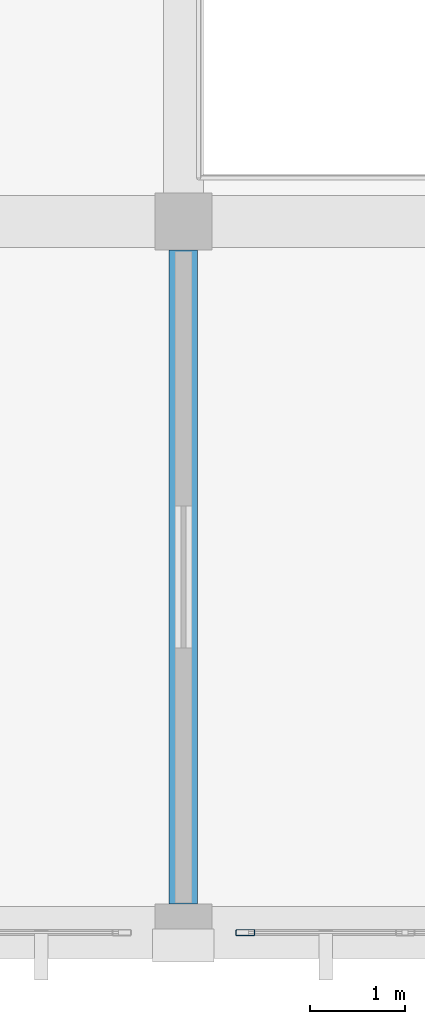
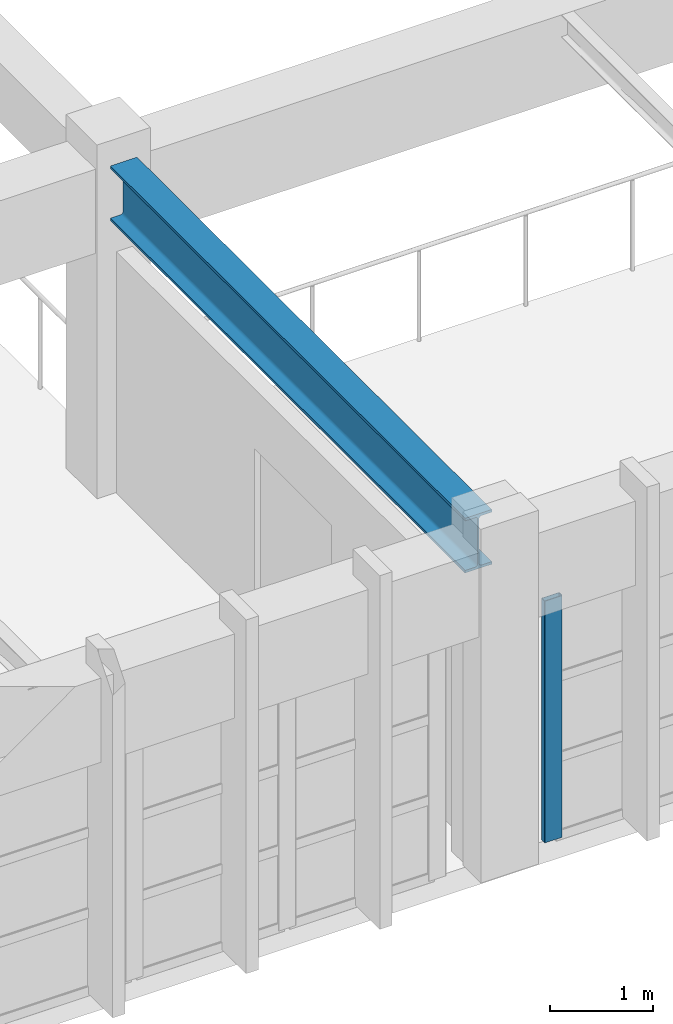
# One storey, part 3 of 124: 1 beam, 1 member, 1 element without a shape of its own.
"""IFC4 building model written with IfcOpenShell, lengths in metres."""

import ifcopenshell
import ifcopenshell.guid

model = None  # the IFC model being written
_history = None  # IfcOwnerHistory: only IFC2X3 demands one
_inside = {}  # id of a spatial element -> (the spatial element, [elements in it])
_under = {}  # id of a project, library or spatial element -> (it, [spatial elements below it])
_declared = {}  # id of a project -> (the project, [libraries it declares])
_typed = {}  # id of a type object -> (the type object, [elements of that type])
_made_of = {}  # id of a material, layer set ... -> (it, [elements and type objects made of it])


def new_model(schema):
    """Start an empty IFC model of exactly this schema.

    Asked for "IFC4X3", IfcOpenShell would pick the latest addendum, in which some entities
    have other attributes; the version numbers below select the first issue.
    IFC2X3 requires an IfcOwnerHistory on every rooted entity: one is made here for all.
    """
    global model, _history
    if schema == "IFC4X3":
        model = ifcopenshell.file(schema_version=(4, 3, 0, 0))
    else:
        model = ifcopenshell.file(schema=schema)
    _inside.clear()
    _under.clear()
    _declared.clear()
    _typed.clear()
    _made_of.clear()
    _history = None
    if model.schema == "IFC2X3":
        org = make("IfcOrganization", Name="unknown")
        user = make(
            "IfcPersonAndOrganization",
            ThePerson=make("IfcPerson", FamilyName="unknown"),
            TheOrganization=org,
        )
        app = make(
            "IfcApplication",
            ApplicationDeveloper=org,
            Version="unknown",
            ApplicationFullName="unknown",
            ApplicationIdentifier="unknown",
        )
        _history = make(
            "IfcOwnerHistory",
            OwningUser=user,
            OwningApplication=app,
            ChangeAction="ADDED",
            CreationDate=0,
        )
    return model


def make(cls, **values):
    """One entity of the class cls with the attributes given. An attribute that is None is left unset."""
    return model.create_entity(
        cls, **{name: value for name, value in values.items() if value is not None}
    )


def rooted(cls, **values):
    """An entity with a GlobalId (a new one), such as an element, a storey or a relation."""
    return make(cls, GlobalId=ifcopenshell.guid.new(), OwnerHistory=_history, **values)


def si_unit(unit_type, name, prefix=None):
    """IfcSIUnit, for example si_unit("LENGTHUNIT", "METRE", prefix="MILLI")."""
    return make("IfcSIUnit", UnitType=unit_type, Prefix=prefix, Name=name)


def assignment(units):
    """IfcUnitAssignment: the units of a project."""
    return None if units is None else make("IfcUnitAssignment", Units=units)


def point(xyz):
    """IfcCartesianPoint."""
    return None if xyz is None else make("IfcCartesianPoint", Coordinates=xyz)


def direction(xyz):
    """IfcDirection."""
    return None if xyz is None else make("IfcDirection", DirectionRatios=xyz)


def frame(location, z_axis=None, x_axis=None):
    """IfcAxis2Placement3D, a coordinate frame: its origin and axes. An axis left out is left unset."""
    return make(
        "IfcAxis2Placement3D",
        Location=point(location),
        Axis=direction(z_axis),
        RefDirection=direction(x_axis),
    )


def frame_2d(location, x_axis=None):
    """IfcAxis2Placement2D, a coordinate frame in the plane: its origin and x axis."""
    return make(
        "IfcAxis2Placement2D", Location=point(location), RefDirection=direction(x_axis)
    )


def origin():
    """The frame at (0, 0, 0) with its axes left unset."""
    return frame((0.0, 0.0, 0.0))


def origin_2d():
    """The frame at (0, 0) in the plane with its x axis left unset."""
    return frame_2d((0.0, 0.0))


def place(relative_to, where):
    """IfcLocalPlacement: puts the frame where relative to a parent placement (None: the world)."""
    return make(
        "IfcLocalPlacement", PlacementRelTo=relative_to, RelativePlacement=where
    )


def context(
    kind, dimensions, precision=None, world=None, true_north=None, identifier=None
):
    """IfcGeometricRepresentationContext, for example the 3D "Model" context."""
    return make(
        "IfcGeometricRepresentationContext",
        ContextIdentifier=identifier,
        ContextType=kind,
        CoordinateSpaceDimension=dimensions,
        Precision=precision,
        WorldCoordinateSystem=world,
        TrueNorth=true_north,
    )


def subcontext(parent, identifier, kind, view, scale=None):
    """IfcGeometricRepresentationSubContext, for example "Body" below "Model"."""
    return make(
        "IfcGeometricRepresentationSubContext",
        ContextIdentifier=identifier,
        ContextType=kind,
        ParentContext=parent,
        TargetScale=scale,
        TargetView=view,
    )


def project(units=None, contexts=None):
    """IfcProject with its units and contexts."""
    return rooted(
        "IfcProject",
        Name="project",
        RepresentationContexts=contexts,
        UnitsInContext=assignment(units),
    )


def spatial(cls, under=None, at=None, **own):
    """A site, building, storey or space (cls), placed at a placement, below another one or the project."""
    s = rooted(cls, ObjectPlacement=at, **own)
    if under is not None:
        _under.setdefault(under.id(), (under, []))[1].append(s)
    return s


def profile(cls, at=None, kind="AREA", **sizes):
    """A parametric profile (cls). Its sizes go by their IFC names, for example OverallWidth=200.0."""
    return make(cls, ProfileType=kind, Position=at, **sizes)


def hollow_rectangle(**sizes):
    """IfcRectangleHollowProfileDef."""
    return profile("IfcRectangleHollowProfileDef", **sizes)


def i_section(**sizes):
    """IfcIShapeProfileDef."""
    return profile("IfcIShapeProfileDef", **sizes)


def extrude(swept, where, along, depth):
    """IfcExtrudedAreaSolid: the profile swept, set in the frame where, extruded along a direction by depth."""
    return make(
        "IfcExtrudedAreaSolid",
        SweptArea=swept,
        Position=where,
        ExtrudedDirection=direction(along),
        Depth=depth,
    )


def shape(context_of_items, identifier, shape_type, items):
    """IfcShapeRepresentation: the items that make up one representation, for example the "Body"."""
    return make(
        "IfcShapeRepresentation",
        ContextOfItems=context_of_items,
        RepresentationIdentifier=identifier,
        RepresentationType=shape_type,
        Items=items,
    )


def material(Name=None, Category=None):
    """IfcMaterial."""
    return make("IfcMaterial", Name=Name, Category=Category)


def material_profile(
    of_material, cross_section, Name=None, Category=None, Priority=None
):
    """IfcMaterialProfile: a cross section and its material."""
    return make(
        "IfcMaterialProfile",
        Name=Name,
        Material=of_material,
        Profile=cross_section,
        Priority=Priority,
        Category=Category,
    )


def profile_set(profiles, Name=None, composite=None):
    """IfcMaterialProfileSet."""
    return make(
        "IfcMaterialProfileSet",
        Name=Name,
        MaterialProfiles=profiles,
        CompositeProfile=composite,
    )


def made_of(thing, what):
    """Note that an element or type object is made of a material, layer set ...; save() writes the relation."""
    if what is not None:
        _made_of.setdefault(what.id(), (what, []))[1].append(thing)
    return thing


def type_object(cls, material=None, **own):
    """A type object (cls), such as IfcWallType, which elements share."""
    return made_of(rooted(cls, **own), material)


def element(
    cls,
    number,
    at=None,
    inside=None,
    cuts=None,
    type_object=None,
    material=None,
    context=None,
    identifier="Body",
    shape_type=None,
    held_by="IfcProductDefinitionShape",
    body=None,
    shapes=None,
    **own,
):
    """One element of the class cls, such as IfcWall. Its Tag is "e" and its number.

    at: its placement. inside: the storey or other place that contains it. cuts: it is an
    opening in that element (IfcRelVoidsElement). A single representation is given by context,
    identifier, shape_type and body (its items); several are given by shapes. held_by: the class
    of the entity that holds the representations. save() writes the other relations.
    """
    e = rooted(cls, Tag="e%d" % number, ObjectPlacement=at, **own)
    if body is not None:
        shapes = [shape(context, identifier, shape_type, body)]
    if shapes is not None:
        e.Representation = make(held_by, Representations=shapes)
    if inside is not None:
        _inside.setdefault(inside.id(), (inside, []))[1].append(e)
    if cuts is not None:
        rooted(
            "IfcRelVoidsElement", RelatingBuildingElement=cuts, RelatedOpeningElement=e
        )
    if type_object is not None:
        _typed.setdefault(type_object.id(), (type_object, []))[1].append(e)
    return made_of(e, material)


def aggregate(whole, parts):
    """IfcRelAggregates: a whole, such as a stair, and the parts it consists of."""
    return rooted("IfcRelAggregates", RelatingObject=whole, RelatedObjects=parts)


def save(model, path):
    """Write the relations noted so far, then the file.

    IfcRelAggregates (storeys below a building ...), IfcRelContainedInSpatialStructure (elements
    in a storey), IfcRelDefinesByType, IfcRelAssociatesMaterial and IfcRelDeclares: one each for
    every whole, place, type object, material and project.
    """
    for whole, parts in _under.values():
        aggregate(whole, parts)
    for where, things in _inside.values():
        rooted(
            "IfcRelContainedInSpatialStructure",
            RelatedElements=things,
            RelatingStructure=where,
        )
    for kind, things in _typed.values():
        rooted("IfcRelDefinesByType", RelatedObjects=things, RelatingType=kind)
    for what, things in _made_of.values():
        rooted("IfcRelAssociatesMaterial", RelatedObjects=things, RelatingMaterial=what)
    for by, libraries in _declared.values():
        rooted("IfcRelDeclares", RelatingContext=by, RelatedDefinitions=libraries)
    model.write(path)


model = new_model("IFC4")

# Units and contexts
model_context = context("Model", 3, precision=1e-05, world=origin(), true_north=direction((0.0, 1.0)))
body_context = subcontext(model_context, "Body", "Model", "MODEL_VIEW")
ifc_project = project(units=[si_unit("LENGTHUNIT", "METRE"), si_unit("AREAUNIT", "SQUARE_METRE"), si_unit("VOLUMEUNIT", "CUBIC_METRE"), si_unit("PLANEANGLEUNIT", "RADIAN"), si_unit("MASSUNIT", "GRAM", prefix="KILO")], contexts=[model_context])

# Site, building, storey
site_placement = place(None, origin())
site = spatial("IfcSite", under=ifc_project, at=site_placement, CompositionType="ELEMENT")
building_placement = place(site_placement, origin())
building = spatial("IfcBuilding", under=site, at=building_placement, Name="Qasida Concert Hall", CompositionType="ELEMENT")
storey_placement = place(building_placement, frame((0.0, 0.0, 9.0)))
storey = spatial("IfcBuildingStorey", under=building, at=storey_placement, Name="L02", CompositionType="ELEMENT", Elevation=9.0)

# Beam
ifc_material_1 = material(Name="Steel S355J2", Category="steel")
ifc_material_profile_1 = material_profile(ifc_material_1, i_section(OverallWidth=0.300048828125, OverallDepth=0.64990234375, WebThickness=0.01611328125, FlangeThickness=0.031005859375, FilletRadius=0.027099609375, at=origin_2d()), Name="HEB 650")
ifc_profile_set_1 = profile_set([ifc_material_profile_1], Name="Steel S355J2")
beam_type = type_object("IfcBeamType", Name="BM-B13", PredefinedType="BEAM", material=ifc_profile_set_1)
beam_placement = place(storey_placement, frame((15.0, 0.300048828125, 3.574951171875), z_axis=(0.0, 1.0, 0.0), x_axis=(-1.0, 0.0, 0.0)))
element("IfcBeam", 1, at=beam_placement, inside=storey, type_object=beam_type, Name="L02 girder 1300", PredefinedType="BEAM", context=body_context, shape_type="SweptSolid", body=[
    extrude(i_section(OverallWidth=0.300048828125, OverallDepth=0.64990234375, WebThickness=0.01611328125, FlangeThickness=0.031005859375, FilletRadius=0.027099609375, at=origin_2d()), origin(), (0.0, 0.0, 1.0), 6.89990234375),
])

# Curtain wall, member
ifc_material_2 = material(Name="Architectural bronze-anodized aluminium and low-E glass", Category="aluminium")
curtain_wall_type = type_object("IfcCurtainWallType", Name="CW-08", PredefinedType="NOTDEFINED", material=ifc_material_2)
curtain_wall_placement = place(storey_placement, origin())
curtain_wall = element("IfcCurtainWall", 2, at=curtain_wall_placement, inside=storey, type_object=curtain_wall_type, Name="L02 curtain wall CW-08 0103", PredefinedType="NOTDEFINED")
ifc_material_3 = material(Name="Architectural bronze-anodized aluminium EN AW-6063", Category="aluminium")
ifc_material_profile_2 = material_profile(ifc_material_3, hollow_rectangle(XDim=0.06494140625, YDim=0.199951171875, WallThickness=0.0048828125, InnerFilletRadius=0.0048828125, OuterFilletRadius=0.010009765625, at=origin_2d()), Name="CWM 200x65x5")
ifc_profile_set_2 = profile_set([ifc_material_profile_2], Name="Architectural bronze-anodized aluminium EN AW-6063")
member_type = type_object("IfcMemberType", Name="MB-CWM-2", PredefinedType="MULLION", material=ifc_profile_set_2)
member_placement = place(storey_placement, frame((15.652587890625, 0.0, 0.0), z_axis=(0.0, 0.0, 1.0), x_axis=(0.0, 1.0, 0.0)))
member = element("IfcMember", 3, at=member_placement, type_object=member_type, Name="CW-08 mullion 1", PredefinedType="MULLION", context=body_context, shape_type="SweptSolid", body=[
    extrude(hollow_rectangle(XDim=0.06494140625, YDim=0.199951171875, WallThickness=0.0048828125, InnerFilletRadius=0.0048828125, OuterFilletRadius=0.010009765625, at=origin_2d()), origin(), (0.0, 0.0, 1.0), 2.8701171875),
])
aggregate(curtain_wall, [member])

save(model, "model.ifc")
